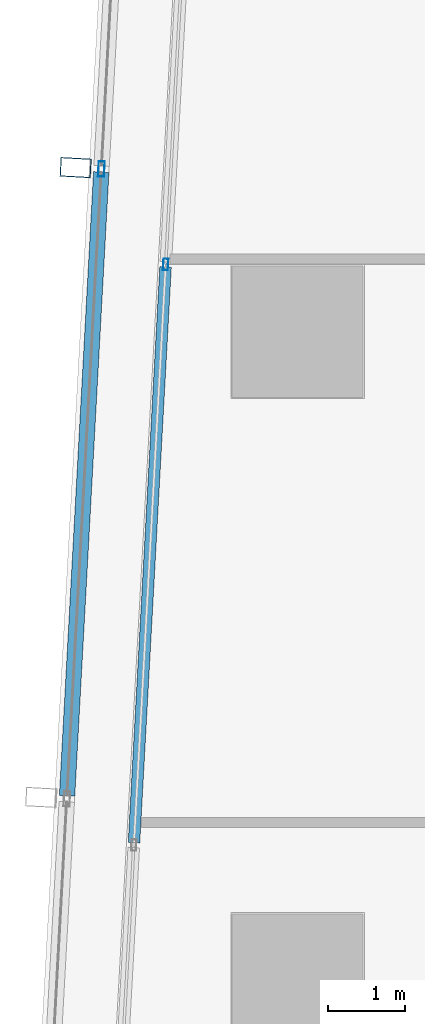
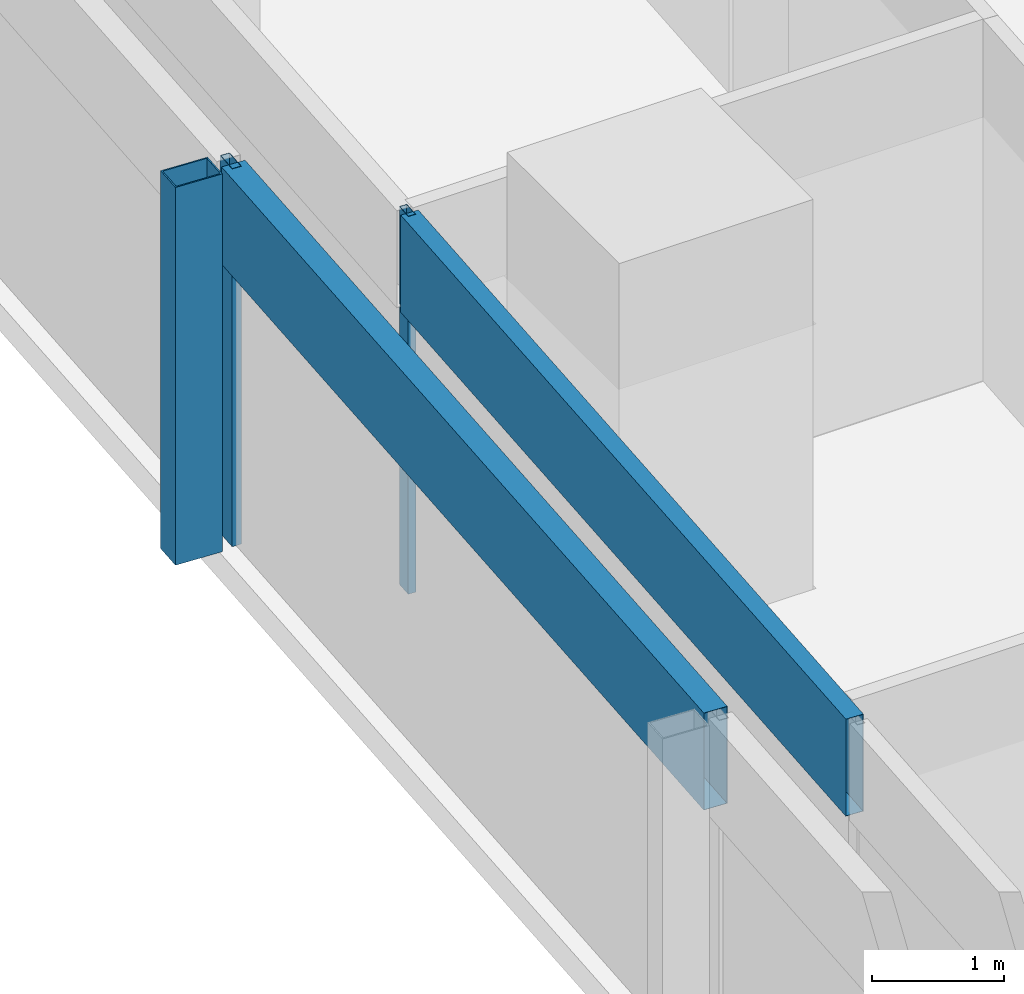
# One storey, part 8 of 40: 5 members, 2 elements without a shape of their own.
"""IFC4 building model written with IfcOpenShell, lengths in metres."""

import ifcopenshell
import ifcopenshell.guid

model = None  # the IFC model being written
_history = None  # IfcOwnerHistory: only IFC2X3 demands one
_inside = {}  # id of a spatial element -> (the spatial element, [elements in it])
_under = {}  # id of a project, library or spatial element -> (it, [spatial elements below it])
_declared = {}  # id of a project -> (the project, [libraries it declares])
_typed = {}  # id of a type object -> (the type object, [elements of that type])
_made_of = {}  # id of a material, layer set ... -> (it, [elements and type objects made of it])


def new_model(schema):
    """Start an empty IFC model of exactly this schema.

    Asked for "IFC4X3", IfcOpenShell would pick the latest addendum, in which some entities
    have other attributes; the version numbers below select the first issue.
    IFC2X3 requires an IfcOwnerHistory on every rooted entity: one is made here for all.
    """
    global model, _history
    if schema == "IFC4X3":
        model = ifcopenshell.file(schema_version=(4, 3, 0, 0))
    else:
        model = ifcopenshell.file(schema=schema)
    _inside.clear()
    _under.clear()
    _declared.clear()
    _typed.clear()
    _made_of.clear()
    _history = None
    if model.schema == "IFC2X3":
        org = make("IfcOrganization", Name="unknown")
        user = make(
            "IfcPersonAndOrganization",
            ThePerson=make("IfcPerson", FamilyName="unknown"),
            TheOrganization=org,
        )
        app = make(
            "IfcApplication",
            ApplicationDeveloper=org,
            Version="unknown",
            ApplicationFullName="unknown",
            ApplicationIdentifier="unknown",
        )
        _history = make(
            "IfcOwnerHistory",
            OwningUser=user,
            OwningApplication=app,
            ChangeAction="ADDED",
            CreationDate=0,
        )
    return model


def make(cls, **values):
    """One entity of the class cls with the attributes given. An attribute that is None is left unset."""
    return model.create_entity(
        cls, **{name: value for name, value in values.items() if value is not None}
    )


def rooted(cls, **values):
    """An entity with a GlobalId (a new one), such as an element, a storey or a relation."""
    return make(cls, GlobalId=ifcopenshell.guid.new(), OwnerHistory=_history, **values)


def si_unit(unit_type, name, prefix=None):
    """IfcSIUnit, for example si_unit("LENGTHUNIT", "METRE", prefix="MILLI")."""
    return make("IfcSIUnit", UnitType=unit_type, Prefix=prefix, Name=name)


def assignment(units):
    """IfcUnitAssignment: the units of a project."""
    return None if units is None else make("IfcUnitAssignment", Units=units)


def point(xyz):
    """IfcCartesianPoint."""
    return None if xyz is None else make("IfcCartesianPoint", Coordinates=xyz)


def direction(xyz):
    """IfcDirection."""
    return None if xyz is None else make("IfcDirection", DirectionRatios=xyz)


def frame(location, z_axis=None, x_axis=None):
    """IfcAxis2Placement3D, a coordinate frame: its origin and axes. An axis left out is left unset."""
    return make(
        "IfcAxis2Placement3D",
        Location=point(location),
        Axis=direction(z_axis),
        RefDirection=direction(x_axis),
    )


def frame_2d(location, x_axis=None):
    """IfcAxis2Placement2D, a coordinate frame in the plane: its origin and x axis."""
    return make(
        "IfcAxis2Placement2D", Location=point(location), RefDirection=direction(x_axis)
    )


def origin():
    """The frame at (0, 0, 0) with its axes left unset."""
    return frame((0.0, 0.0, 0.0))


def origin_2d():
    """The frame at (0, 0) in the plane with its x axis left unset."""
    return frame_2d((0.0, 0.0))


def place(relative_to, where):
    """IfcLocalPlacement: puts the frame where relative to a parent placement (None: the world)."""
    return make(
        "IfcLocalPlacement", PlacementRelTo=relative_to, RelativePlacement=where
    )


def context(
    kind, dimensions, precision=None, world=None, true_north=None, identifier=None
):
    """IfcGeometricRepresentationContext, for example the 3D "Model" context."""
    return make(
        "IfcGeometricRepresentationContext",
        ContextIdentifier=identifier,
        ContextType=kind,
        CoordinateSpaceDimension=dimensions,
        Precision=precision,
        WorldCoordinateSystem=world,
        TrueNorth=true_north,
    )


def subcontext(parent, identifier, kind, view, scale=None):
    """IfcGeometricRepresentationSubContext, for example "Body" below "Model"."""
    return make(
        "IfcGeometricRepresentationSubContext",
        ContextIdentifier=identifier,
        ContextType=kind,
        ParentContext=parent,
        TargetScale=scale,
        TargetView=view,
    )


def project(units=None, contexts=None):
    """IfcProject with its units and contexts."""
    return rooted(
        "IfcProject",
        Name="project",
        RepresentationContexts=contexts,
        UnitsInContext=assignment(units),
    )


def spatial(cls, under=None, at=None, **own):
    """A site, building, storey or space (cls), placed at a placement, below another one or the project."""
    s = rooted(cls, ObjectPlacement=at, **own)
    if under is not None:
        _under.setdefault(under.id(), (under, []))[1].append(s)
    return s


def profile(cls, at=None, kind="AREA", **sizes):
    """A parametric profile (cls). Its sizes go by their IFC names, for example OverallWidth=200.0."""
    return make(cls, ProfileType=kind, Position=at, **sizes)


def hollow_rectangle(**sizes):
    """IfcRectangleHollowProfileDef."""
    return profile("IfcRectangleHollowProfileDef", **sizes)


def extrude(swept, where, along, depth):
    """IfcExtrudedAreaSolid: the profile swept, set in the frame where, extruded along a direction by depth."""
    return make(
        "IfcExtrudedAreaSolid",
        SweptArea=swept,
        Position=where,
        ExtrudedDirection=direction(along),
        Depth=depth,
    )


def shape(context_of_items, identifier, shape_type, items):
    """IfcShapeRepresentation: the items that make up one representation, for example the "Body"."""
    return make(
        "IfcShapeRepresentation",
        ContextOfItems=context_of_items,
        RepresentationIdentifier=identifier,
        RepresentationType=shape_type,
        Items=items,
    )


def material(Name=None, Category=None):
    """IfcMaterial."""
    return make("IfcMaterial", Name=Name, Category=Category)


def material_profile(
    of_material, cross_section, Name=None, Category=None, Priority=None
):
    """IfcMaterialProfile: a cross section and its material."""
    return make(
        "IfcMaterialProfile",
        Name=Name,
        Material=of_material,
        Profile=cross_section,
        Priority=Priority,
        Category=Category,
    )


def profile_set(profiles, Name=None, composite=None):
    """IfcMaterialProfileSet."""
    return make(
        "IfcMaterialProfileSet",
        Name=Name,
        MaterialProfiles=profiles,
        CompositeProfile=composite,
    )


def made_of(thing, what):
    """Note that an element or type object is made of a material, layer set ...; save() writes the relation."""
    if what is not None:
        _made_of.setdefault(what.id(), (what, []))[1].append(thing)
    return thing


def type_object(cls, material=None, **own):
    """A type object (cls), such as IfcWallType, which elements share."""
    return made_of(rooted(cls, **own), material)


def element(
    cls,
    number,
    at=None,
    inside=None,
    cuts=None,
    type_object=None,
    material=None,
    context=None,
    identifier="Body",
    shape_type=None,
    held_by="IfcProductDefinitionShape",
    body=None,
    shapes=None,
    **own,
):
    """One element of the class cls, such as IfcWall. Its Tag is "e" and its number.

    at: its placement. inside: the storey or other place that contains it. cuts: it is an
    opening in that element (IfcRelVoidsElement). A single representation is given by context,
    identifier, shape_type and body (its items); several are given by shapes. held_by: the class
    of the entity that holds the representations. save() writes the other relations.
    """
    e = rooted(cls, Tag="e%d" % number, ObjectPlacement=at, **own)
    if body is not None:
        shapes = [shape(context, identifier, shape_type, body)]
    if shapes is not None:
        e.Representation = make(held_by, Representations=shapes)
    if inside is not None:
        _inside.setdefault(inside.id(), (inside, []))[1].append(e)
    if cuts is not None:
        rooted(
            "IfcRelVoidsElement", RelatingBuildingElement=cuts, RelatedOpeningElement=e
        )
    if type_object is not None:
        _typed.setdefault(type_object.id(), (type_object, []))[1].append(e)
    return made_of(e, material)


def aggregate(whole, parts):
    """IfcRelAggregates: a whole, such as a stair, and the parts it consists of."""
    return rooted("IfcRelAggregates", RelatingObject=whole, RelatedObjects=parts)


def save(model, path):
    """Write the relations noted so far, then the file.

    IfcRelAggregates (storeys below a building ...), IfcRelContainedInSpatialStructure (elements
    in a storey), IfcRelDefinesByType, IfcRelAssociatesMaterial and IfcRelDeclares: one each for
    every whole, place, type object, material and project.
    """
    for whole, parts in _under.values():
        aggregate(whole, parts)
    for where, things in _inside.values():
        rooted(
            "IfcRelContainedInSpatialStructure",
            RelatedElements=things,
            RelatingStructure=where,
        )
    for kind, things in _typed.values():
        rooted("IfcRelDefinesByType", RelatedObjects=things, RelatingType=kind)
    for what, things in _made_of.values():
        rooted("IfcRelAssociatesMaterial", RelatedObjects=things, RelatingMaterial=what)
    for by, libraries in _declared.values():
        rooted("IfcRelDeclares", RelatingContext=by, RelatedDefinitions=libraries)
    model.write(path)


model = new_model("IFC4")

# Units and contexts
model_context = context("Model", 3, precision=1e-05, world=origin(), true_north=direction((0.0, 1.0)))
body_context = subcontext(model_context, "Body", "Model", "MODEL_VIEW")
ifc_project = project(units=[si_unit("LENGTHUNIT", "METRE"), si_unit("AREAUNIT", "SQUARE_METRE"), si_unit("VOLUMEUNIT", "CUBIC_METRE"), si_unit("PLANEANGLEUNIT", "RADIAN"), si_unit("MASSUNIT", "GRAM", prefix="KILO")], contexts=[model_context])

# Site, building, storey
site_placement = place(None, origin())
site = spatial("IfcSite", under=ifc_project, at=site_placement, CompositionType="ELEMENT")
building_placement = place(site_placement, origin())
building = spatial("IfcBuilding", under=site, at=building_placement, Name="Rekha Terrace Tower", CompositionType="ELEMENT")
storey_placement = place(building_placement, frame((0.0, 0.0, 132.800048828125)))
storey = spatial("IfcBuildingStorey", under=building, at=storey_placement, Name="L33", CompositionType="ELEMENT", Elevation=132.800048828125)

# Curtain wall, member
ifc_material_1 = material(Name="Aluminium framing", Category="aluminium")
curtain_wall_type_1 = type_object("IfcCurtainWallType", Name="CW2 double skin outer glazing", PredefinedType="USERDEFINED", material=ifc_material_1)
curtain_wall_1_placement = place(storey_placement, origin())
curtain_wall_1 = element("IfcCurtainWall", 1, at=curtain_wall_1_placement, inside=storey, type_object=curtain_wall_type_1, Name="CW2 double skin outer glazing", ObjectType="DOUBLE SKIN OUTER GLAZING", PredefinedType="USERDEFINED")
ifc_material_2 = material(Name="Steel S355 with fluorocarbon finish", Category="steel")
ifc_material_profile_1 = material_profile(ifc_material_2, hollow_rectangle(XDim=0.25, YDim=0.39990234375, WallThickness=0.012451171875, at=origin_2d()), Name="RHS400x250x12.5")
ifc_profile_set_1 = profile_set([ifc_material_profile_1], Name="Steel S355 with fluorocarbon finish")
member_type_1 = type_object("IfcMemberType", Name="BL1 facade blade RHS 400 x 250", PredefinedType="USERDEFINED", material=ifc_profile_set_1)
member_1_placement = place(storey_placement, frame((5.521728515625, 44.128662109375, 0.0), z_axis=(0.0, 0.0, 1.0), x_axis=(-0.054742798353, -0.998500488747, 0.0)))
member_1 = element("IfcMember", 2, at=member_1_placement, type_object=member_type_1, Name="Facade blade", ObjectType="FACADE BLADE", PredefinedType="USERDEFINED", context=body_context, shape_type="SweptSolid", body=[
    extrude(hollow_rectangle(XDim=0.25, YDim=0.39990234375, WallThickness=0.012451171875, at=origin_2d()), origin(), (0.0, 0.0, 1.0), 3.5),
])

# Curtain wall, members
curtain_wall_type_2 = type_object("IfcCurtainWallType", Name="CW1 double skin inner glazing", PredefinedType="USERDEFINED", material=ifc_material_1)
curtain_wall_2_placement = place(storey_placement, origin())
curtain_wall_2 = element("IfcCurtainWall", 3, at=curtain_wall_2_placement, inside=storey, type_object=curtain_wall_type_2, Name="CW1 double skin inner glazing", ObjectType="DOUBLE SKIN INNER GLAZING", PredefinedType="USERDEFINED")
ifc_material_3 = material(Name="Aluminium mullion section", Category="aluminium")
ifc_material_profile_2 = material_profile(ifc_material_3, hollow_rectangle(XDim=0.06494140625, YDim=0.14990234375, WallThickness=0.00390625, at=origin_2d()), Name="AL RHS 65x150")
ifc_profile_set_2 = profile_set([ifc_material_profile_2], Name="Aluminium mullion section")
member_type_2 = type_object("IfcMemberType", Name="CW1 mullion RHS 65 x 150", PredefinedType="MULLION", material=ifc_profile_set_2)
member_2_placement = place(storey_placement, frame((6.689697265625, 42.87255859375, 0.0), z_axis=(0.0, 0.0, 1.0), x_axis=(0.99850051318, -0.054742352707, 0.0)))
member_2 = element("IfcMember", 4, at=member_2_placement, type_object=member_type_2, Name="CW1 mullion 3", PredefinedType="MULLION", context=body_context, shape_type="SweptSolid", body=[
    extrude(hollow_rectangle(XDim=0.06494140625, YDim=0.14990234375, WallThickness=0.00390625, at=origin_2d()), origin(), (0.0, 0.0, 1.0), 3.5),
])
ifc_material_4 = material(Name="Insulated aluminium spandrel box", Category="aluminium")
ifc_material_profile_3 = material_profile(ifc_material_4, hollow_rectangle(XDim=0.14990234375, YDim=0.89990234375, WallThickness=0.0029296875, at=origin_2d()), Name="AL SPANDREL BOX 150x900")
ifc_profile_set_3 = profile_set([ifc_material_profile_3], Name="Insulated aluminium spandrel box")
member_type_3 = type_object("IfcMemberType", Name="CW1 spandrel transom 150 x 900", PredefinedType="USERDEFINED", material=ifc_profile_set_3)
member_3_placement = place(storey_placement, frame((6.68798828125, 42.840087890625, 3.050048828125), z_axis=(-0.054766415299, -0.998499193668, 0.0), x_axis=(0.998499193668, -0.054766415299, 0.0)))
member_3 = element("IfcMember", 5, at=member_3_placement, type_object=member_type_3, Name="CW1 spandrel transom 3", ObjectType="TRANSOM", PredefinedType="USERDEFINED", context=body_context, shape_type="SweptSolid", body=[
    extrude(hollow_rectangle(XDim=0.14990234375, YDim=0.89990234375, WallThickness=0.0029296875, at=origin_2d()), origin(), (0.0, 0.0, 1.0), 7.475830078125),
])
aggregate(curtain_wall_2, [member_2, member_3])

# Member
ifc_material_profile_4 = material_profile(ifc_material_3, hollow_rectangle(XDim=0.080078125, YDim=0.199951171875, WallThickness=0.00390625, at=origin_2d()), Name="AL RHS 80x200")
ifc_profile_set_4 = profile_set([ifc_material_profile_4], Name="Aluminium mullion section")
member_type_4 = type_object("IfcMemberType", Name="CW2 mullion RHS 80 x 200", PredefinedType="MULLION", material=ifc_profile_set_4)
member_4_placement = place(storey_placement, frame((5.856201171875, 44.1103515625, 0.0), z_axis=(0.0, 0.0, 1.0), x_axis=(0.99850051318, -0.054742352707, 0.0)))
member_4 = element("IfcMember", 6, at=member_4_placement, type_object=member_type_4, Name="CW2 mullion 3", PredefinedType="MULLION", context=body_context, shape_type="SweptSolid", body=[
    extrude(hollow_rectangle(XDim=0.080078125, YDim=0.199951171875, WallThickness=0.00390625, at=origin_2d()), origin(), (0.0, 0.0, 1.0), 3.5),
])

ifc_material_profile_5 = material_profile(ifc_material_4, hollow_rectangle(XDim=0.199951171875, YDim=0.89990234375, WallThickness=0.0029296875, at=origin_2d()), Name="AL SPANDREL BOX 200x900")
ifc_profile_set_5 = profile_set([ifc_material_profile_5], Name="Insulated aluminium spandrel box")
member_type_5 = type_object("IfcMemberType", Name="CW2 spandrel transom 200 x 900", PredefinedType="USERDEFINED", material=ifc_profile_set_5)
member_5_placement = place(storey_placement, frame((5.85400390625, 44.070556640625, 3.050048828125), z_axis=(-0.054735499102, -0.998500888902, 0.0), x_axis=(0.998500888902, -0.054735499102, 0.0)))
member_5 = element("IfcMember", 7, at=member_5_placement, type_object=member_type_5, Name="CW2 spandrel transom 3", ObjectType="TRANSOM", PredefinedType="USERDEFINED", context=body_context, shape_type="SweptSolid", body=[
    extrude(hollow_rectangle(XDim=0.199951171875, YDim=0.89990234375, WallThickness=0.0029296875, at=origin_2d()), origin(), (0.0, 0.0, 1.0), 8.10009765625),
])

aggregate(curtain_wall_1, [member_4, member_5, member_1])

save(model, "model.ifc")
